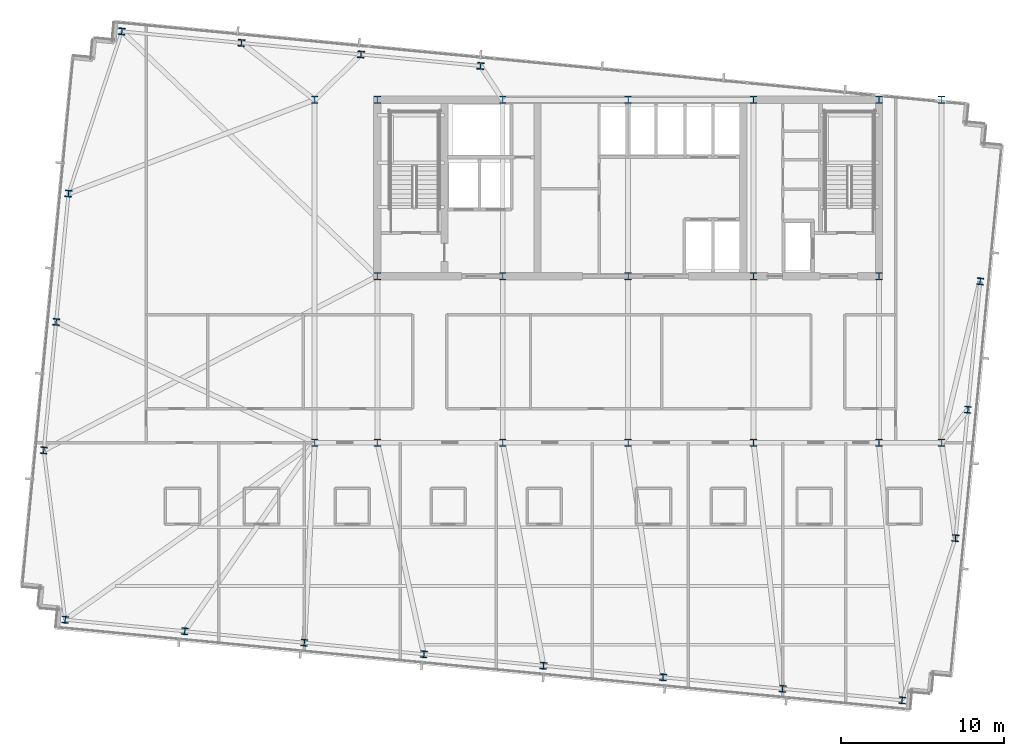
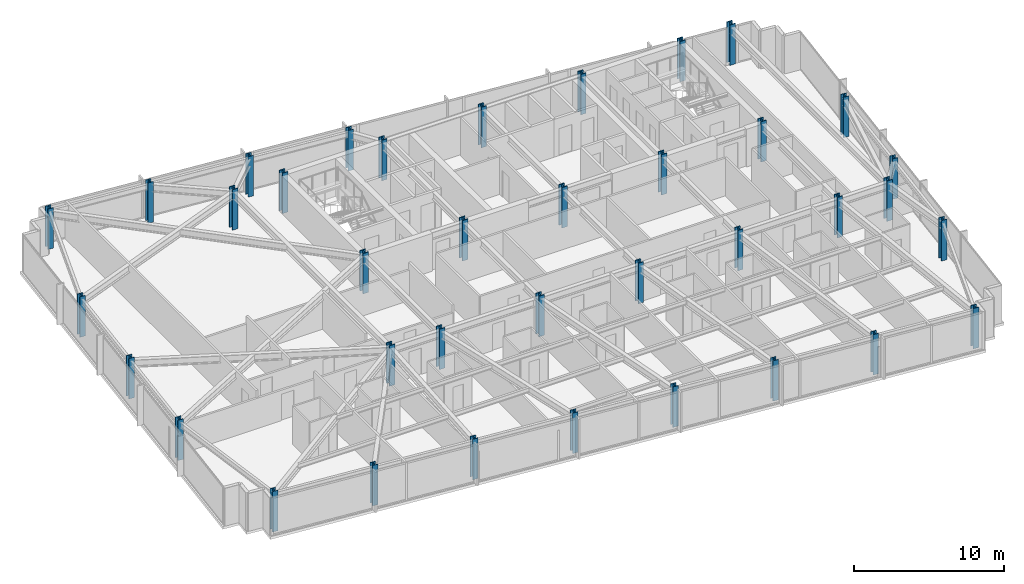
# One storey, part 1 of 37: 37 columns.
"""IFC4 building model written with IfcOpenShell, lengths in metres."""

from ifc_helpers import new_model, si_unit, direction, frame, origin, origin_2d, place, context, subcontext, project, spatial, i_section, extrude, material, material_profile, profile_set, type_object, element, save


model = new_model("IFC4")

# Units and contexts
model_context = context("Model", 3, precision=1e-05, world=origin(), true_north=direction((0.0, 1.0)))
body_context = subcontext(model_context, "Body", "Model", "MODEL_VIEW")
ifc_project = project(units=[si_unit("LENGTHUNIT", "METRE"), si_unit("AREAUNIT", "SQUARE_METRE"), si_unit("VOLUMEUNIT", "CUBIC_METRE"), si_unit("PLANEANGLEUNIT", "RADIAN"), si_unit("MASSUNIT", "GRAM", prefix="KILO")], contexts=[model_context])

# Site, building, storey
site_placement = place(None, origin())
site = spatial("IfcSite", under=ifc_project, at=site_placement, CompositionType="ELEMENT")
building_placement = place(site_placement, origin())
building = spatial("IfcBuilding", under=site, at=building_placement, Name="Yelkora Congress Tower", CompositionType="ELEMENT")
storey_placement = place(building_placement, frame((0.0, 0.0, 158.89990234375)))
storey = spatial("IfcBuildingStorey", under=building, at=storey_placement, Name="L43", CompositionType="ELEMENT", Elevation=158.89990234375)

# Columns
ifc_material = material(Name="Steel S460M", Category="steel")
ifc_material_profile_1 = material_profile(ifc_material, i_section(OverallWidth=0.406005859375, OverallDepth=0.416015625, WebThickness=0.02978515625, FlangeThickness=0.048095703125, FilletRadius=0.014892578125, at=origin_2d()), Name="HD 400x382")
ifc_profile_set_1 = profile_set([ifc_material_profile_1], Name="Steel S460M")
column_type_1 = type_object("IfcColumnType", Name="COL-HD-382-EXT", PredefinedType="COLUMN", material=ifc_profile_set_1)
for number, where, z_axis, x_axis, name in (
    (1, (3.919189453125, 14.357421875, 0.0), (0.0, 0.0, 1.0), (0.995396198367, -0.09584575252, 0.0), "L43 Perimeter Column S01"),
    (2, (11.242431640625, 13.652099609375, 0.0), (0.0, 0.0, 1.0), (0.995396198367, -0.09584575252, 0.0), "L43 Perimeter Column S02"),
    (3, (18.56591796875, 12.947021484375, 0.0), (0.0, 0.0, 1.0), (0.995396198367, -0.09584575252, 0.0), "L43 Perimeter Column S03"),
    (4, (25.888916015625, 12.24169921875, 0.0), (0.0, 0.0, 1.0), (0.995396198367, -0.09584575252, 0.0), "L43 Perimeter Column S04"),
    (5, (33.21240234375, 11.53662109375, 0.0), (0.0, 0.0, 1.0), (0.995396198367, -0.09584575252, 0.0), "L43 Perimeter Column S05"),
    (6, (40.53564453125, 10.83154296875, 0.0), (0.0, 0.0, 1.0), (0.995396198367, -0.09584575252, 0.0), "L43 Perimeter Column S06"),
    (7, (47.85888671875, 10.12646484375, 0.0), (0.0, 0.0, 1.0), (0.995396198367, -0.09584575252, 0.0), "L43 Perimeter Column S07"),
    (8, (55.18212890625, 9.421142578125, 0.0), (0.0, 0.0, 1.0), (0.995396198367, -0.09584575252, 0.0), "L43 Perimeter Column S08"),
    (9, (7.388916015625, 50.390625, 0.0), (0.0, 0.0, 1.0), (0.995396198367, -0.09584575252, 0.0), "L43 Perimeter Column N01"),
    (10, (14.712158203125, 49.685546875, 0.0), (0.0, 0.0, 1.0), (0.995396198367, -0.09584575252, 0.0), "L43 Perimeter Column N02"),
    (11, (22.035400390625, 48.980224609375, 0.0), (0.0, 0.0, 1.0), (0.995396198367, -0.09584575252, 0.0), "L43 Perimeter Column N03"),
    (12, (29.358642578125, 48.275146484375, 0.0), (0.0, 0.0, 1.0), (0.995396198367, -0.09584575252, 0.0), "L43 Perimeter Column N04"),
    (13, (2.607421875, 24.730712890625, 0.0), (0.0, 0.0, 1.0), (0.995396198367, -0.09584575252, 0.0), "L43 Perimeter Column W01"),
    (14, (58.44921875, 19.353759765625, 0.0), (0.0, 0.0, 1.0), (0.995396198367, -0.09584575252, 0.0), "L43 Perimeter Column E01"),
    (15, (3.364501953125, 32.594482421875, 0.0), (0.0, 0.0, 1.0), (0.995396198367, -0.09584575252, 0.0), "L43 Perimeter Column W02"),
    (16, (59.206298828125, 27.217529296875, 0.0), (0.0, 0.0, 1.0), (0.995396198367, -0.09584575252, 0.0), "L43 Perimeter Column E02"),
    (17, (4.121826171875, 40.4580078125, 0.0), (0.0, 0.0, 1.0), (0.995396198367, -0.09584575252, 0.0), "L43 Perimeter Column W03"),
    (18, (59.96337890625, 35.0810546875, 0.0), (0.0, 0.0, 1.0), (0.995396198367, -0.09584575252, 0.0), "L43 Perimeter Column E03"),
):
    element("IfcColumn", number, at=place(storey_placement, frame(where, z_axis=z_axis, x_axis=x_axis)), inside=storey, type_object=column_type_1, Name=name, PredefinedType="COLUMN", context=body_context, shape_type="SweptSolid", body=[
        extrude(i_section(OverallWidth=0.406005859375, OverallDepth=0.416015625, WebThickness=0.02978515625, FlangeThickness=0.048095703125, FilletRadius=0.014892578125, at=origin_2d()), origin(), (0.0, 0.0, 1.0), 3.300048828125),
    ])
ifc_material_profile_2 = material_profile(ifc_material, i_section(OverallWidth=0.41796875, OverallDepth=0.455078125, WebThickness=0.0419921875, FlangeThickness=0.068115234375, FilletRadius=0.014892578125, at=origin_2d()), Name="HD 400x551")
ifc_profile_set_2 = profile_set([ifc_material_profile_2], Name="Steel S460M")
column_type_2 = type_object("IfcColumnType", Name="COL-HD-551", PredefinedType="COLUMN", material=ifc_profile_set_2)
for number, where, z_axis, x_axis, name in (
    (19, (23.0400390625, 35.39990234375, 0.0), (0.0, 0.0, 1.0), (1.0, 0.0, 0.0), "L43 Mega Column MC-S1"),
    (20, (23.0400390625, 46.199951171875, 0.0), (0.0, 0.0, 1.0), (1.0, 0.0, 0.0), "L43 Mega Column MC-N1"),
    (21, (23.0400390625, 25.199951171875, 0.0), (0.0, 0.0, 1.0), (1.0, 0.0, 0.0), "L43 Mega Column MC-D1"),
    (22, (30.719970703125, 35.39990234375, 0.0), (0.0, 0.0, 1.0), (1.0, 0.0, 0.0), "L43 Mega Column MC-S2"),
    (23, (30.719970703125, 46.199951171875, 0.0), (0.0, 0.0, 1.0), (1.0, 0.0, 0.0), "L43 Mega Column MC-N2"),
    (24, (30.719970703125, 25.199951171875, 0.0), (0.0, 0.0, 1.0), (1.0, 0.0, 0.0), "L43 Mega Column MC-D2"),
    (25, (38.39990234375, 35.39990234375, 0.0), (0.0, 0.0, 1.0), (1.0, 0.0, 0.0), "L43 Mega Column MC-S3"),
    (26, (38.39990234375, 46.199951171875, 0.0), (0.0, 0.0, 1.0), (1.0, 0.0, 0.0), "L43 Mega Column MC-N3"),
    (27, (38.39990234375, 25.199951171875, 0.0), (0.0, 0.0, 1.0), (1.0, 0.0, 0.0), "L43 Mega Column MC-D3"),
    (28, (46.080078125, 35.39990234375, 0.0), (0.0, 0.0, 1.0), (1.0, 0.0, 0.0), "L43 Mega Column MC-S4"),
    (29, (46.080078125, 46.199951171875, 0.0), (0.0, 0.0, 1.0), (1.0, 0.0, 0.0), "L43 Mega Column MC-N4"),
    (30, (46.080078125, 25.199951171875, 0.0), (0.0, 0.0, 1.0), (1.0, 0.0, 0.0), "L43 Mega Column MC-D4"),
    (31, (53.760009765625, 35.39990234375, 0.0), (0.0, 0.0, 1.0), (1.0, 0.0, 0.0), "L43 Mega Column MC-S5"),
    (32, (53.760009765625, 46.199951171875, 0.0), (0.0, 0.0, 1.0), (1.0, 0.0, 0.0), "L43 Mega Column MC-N5"),
    (33, (53.760009765625, 25.199951171875, 0.0), (0.0, 0.0, 1.0), (1.0, 0.0, 0.0), "L43 Mega Column MC-D5"),
    (34, (19.199951171875, 25.199951171875, 0.0), (0.0, 0.0, 1.0), (1.0, 0.0, 0.0), "L43 Mega Column MC-F1"),
    (35, (57.60009765625, 25.199951171875, 0.0), (0.0, 0.0, 1.0), (1.0, 0.0, 0.0), "L43 Mega Column MC-F2"),
    (36, (19.199951171875, 46.199951171875, 0.0), (0.0, 0.0, 1.0), (1.0, 0.0, 0.0), "L43 Mega Column MC-F3"),
    (37, (57.60009765625, 46.199951171875, 0.0), (0.0, 0.0, 1.0), (1.0, 0.0, 0.0), "L43 Mega Column MC-F4"),
):
    element("IfcColumn", number, at=place(storey_placement, frame(where, z_axis=z_axis, x_axis=x_axis)), inside=storey, type_object=column_type_2, Name=name, PredefinedType="COLUMN", context=body_context, shape_type="SweptSolid", body=[
        extrude(i_section(OverallWidth=0.41796875, OverallDepth=0.455078125, WebThickness=0.0419921875, FlangeThickness=0.068115234375, FilletRadius=0.014892578125, at=origin_2d()), origin(), (0.0, 0.0, 1.0), 3.300048828125),
    ])

save(model, "model.ifc")
